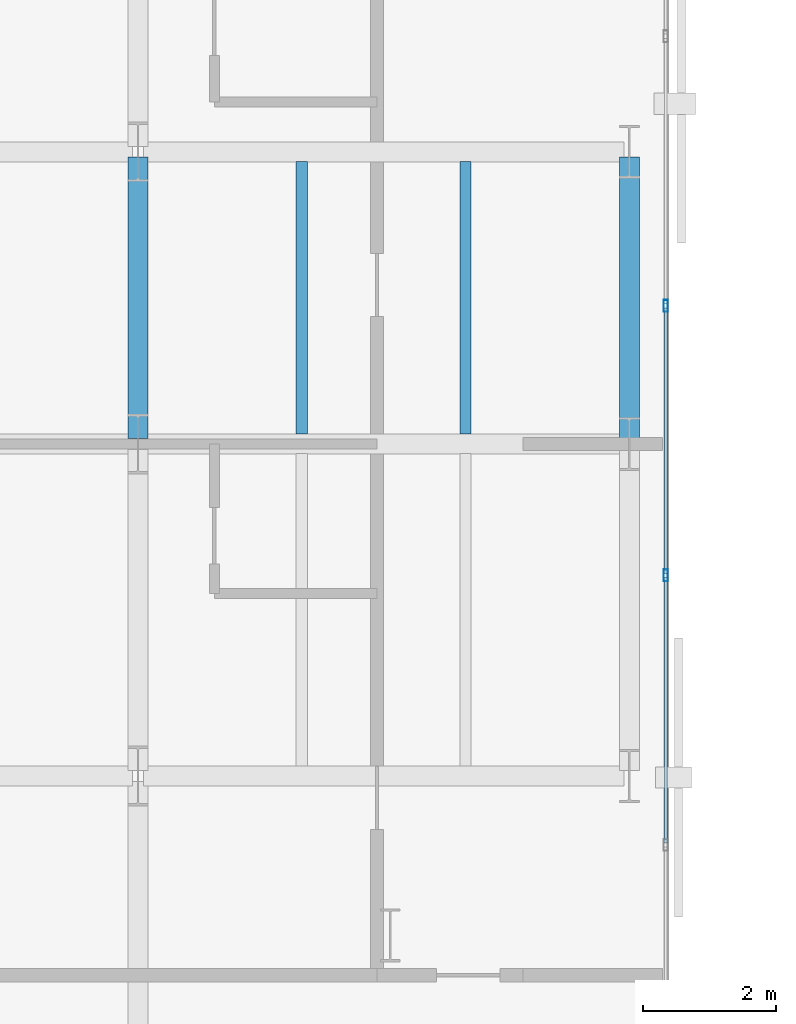
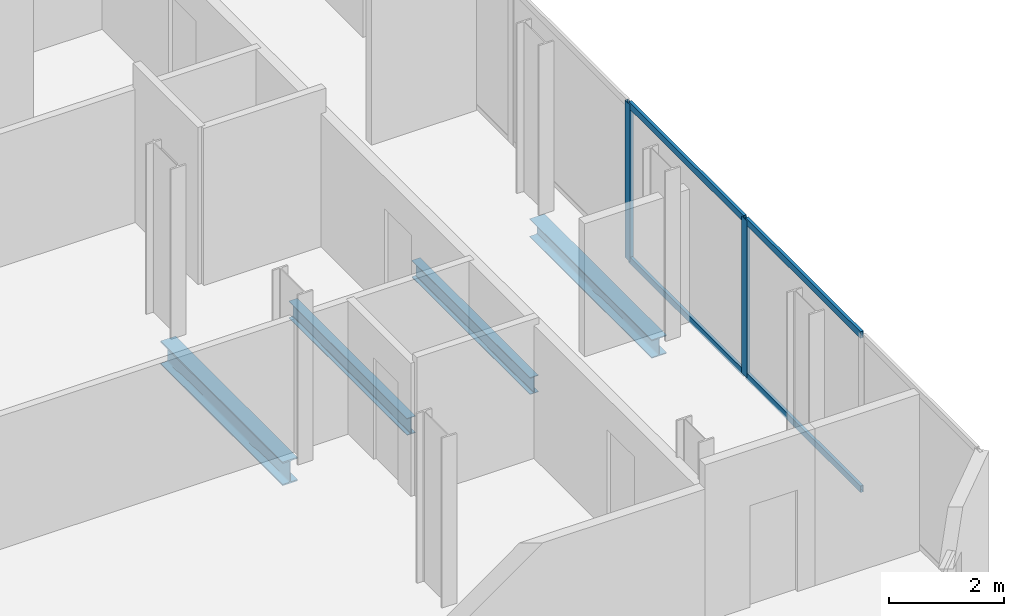
# One storey, part 8 of 33: 6 members, 4 beams, 1 element without a shape of its own.
"""IFC4 building model written with IfcOpenShell, lengths in metres."""

from ifc_helpers import new_model, si_unit, direction, frame, origin, origin_2d, place, context, subcontext, project, spatial, hollow_rectangle, i_section, extrude, material, layer, layer_set, material_profile, profile_set, type_object, element, aggregate, save


model = new_model("IFC4")

# Units and contexts
model_context = context("Model", 3, precision=1e-05, world=origin(), true_north=direction((0.0, 1.0)))
body_context = subcontext(model_context, "Body", "Model", "MODEL_VIEW")
ifc_project = project(units=[si_unit("LENGTHUNIT", "METRE"), si_unit("AREAUNIT", "SQUARE_METRE"), si_unit("VOLUMEUNIT", "CUBIC_METRE"), si_unit("PLANEANGLEUNIT", "RADIAN"), si_unit("MASSUNIT", "GRAM", prefix="KILO")], contexts=[model_context])

# Site, building, storey
site_placement = place(None, origin())
site = spatial("IfcSite", under=ifc_project, at=site_placement, CompositionType="ELEMENT")
building_placement = place(site_placement, origin())
building = spatial("IfcBuilding", under=site, at=building_placement, Name="Catumbela Crestline Tower", CompositionType="ELEMENT")
storey_placement = place(building_placement, frame((0.0, 0.0, 47.4)))
storey = spatial("IfcBuildingStorey", under=building, at=storey_placement, Name="L11", CompositionType="ELEMENT", Elevation=47.4)

# Beams
ifc_material_1 = material(Name="Structural steel S355J2", Category="steel")
ifc_material_profile_1 = material_profile(ifc_material_1, i_section(OverallWidth=0.3, OverallDepth=0.5, WebThickness=0.0145, FlangeThickness=0.028, FilletRadius=0.027, at=origin_2d()), Name="HEB 500")
ifc_profile_set_1 = profile_set([ifc_material_profile_1], Name="Structural steel S355J2")
beam_type_1 = type_object("IfcBeamType", Name="BG-HEB500", PredefinedType="BEAM", material=ifc_profile_set_1)
beam_1_placement = place(storey_placement, frame((16.0, 13.68, -0.51), z_axis=(0.0, 1.0, 0.0), x_axis=(-1.0, 0.0, 0.0)))
element("IfcBeam", 1, at=beam_1_placement, inside=storey, type_object=beam_type_1, Name="L11 Beam BM-L11-WNS66", PredefinedType="BEAM", context=body_context, shape_type="SweptSolid", body=[
    extrude(i_section(OverallWidth=0.3, OverallDepth=0.5, WebThickness=0.0145, FlangeThickness=0.028, FilletRadius=0.027, at=origin_2d()), origin(), (0.0, 0.0, 1.0), 4.24),
])
ifc_material_profile_2 = material_profile(ifc_material_1, i_section(OverallWidth=0.17, OverallDepth=0.36, WebThickness=0.008, FlangeThickness=0.0127, FilletRadius=0.018, at=origin_2d()), Name="IPE 360")
ifc_profile_set_2 = profile_set([ifc_material_profile_2], Name="Structural steel S355J2")
beam_type_2 = type_object("IfcBeamType", Name="BJ-IPE360", PredefinedType="JOIST", material=ifc_profile_set_2)
for number, where, z_axis, x_axis, name in (
    (2, (18.467, 13.747, -0.44), (0.0, 1.0, 0.0), (-1.0, 0.0, 0.0), "L11 Joist JS-L11-WG80"),
    (3, (20.933, 13.747, -0.44), (0.0, 1.0, 0.0), (-1.0, 0.0, 0.0), "L11 Joist JS-L11-WG81"),
):
    element("IfcBeam", number, at=place(storey_placement, frame(where, z_axis=z_axis, x_axis=x_axis)), inside=storey, type_object=beam_type_2, Name=name, PredefinedType="JOIST", context=body_context, shape_type="SweptSolid", body=[
        extrude(i_section(OverallWidth=0.17, OverallDepth=0.36, WebThickness=0.008, FlangeThickness=0.0127, FilletRadius=0.018, at=origin_2d()), origin(), (0.0, 0.0, 1.0), 4.106),
    ])

# Curtain wall, members
ifc_material_2 = material(Name="Aluminium alloy AW-6060-T66", Category="aluminium")
ifc_layer = layer(ifc_material_2, 0.18, Name="Aluminium alloy AW-6060-T66")
ifc_layer_set = layer_set([ifc_layer], Name="Aluminium alloy AW-6060-T66")
curtain_wall_type = type_object("IfcCurtainWallType", Name="CWU-Z1", PredefinedType="USERDEFINED", material=ifc_layer_set)
curtain_wall_placement = place(storey_placement, origin())
curtain_wall = element("IfcCurtainWall", 4, at=curtain_wall_placement, inside=storey, type_object=curtain_wall_type, Name="L11 Unitised Curtain Wall CW-L11-E2S1", ObjectType="UNITISED", PredefinedType="USERDEFINED")
ifc_material_profile_3 = material_profile(ifc_material_2, hollow_rectangle(XDim=0.065, YDim=0.18, WallThickness=0.004, at=origin_2d()), Name="ALU 180x65x4")
ifc_profile_set_3 = profile_set([ifc_material_profile_3], Name="Aluminium alloy AW-6060-T66")
member_type_1 = type_object("IfcMemberType", Name="MUL-180X65", PredefinedType="MULLION", material=ifc_profile_set_3)
member_1_placement = place(storey_placement, frame((23.95, 11.62, 0.0), z_axis=(0.0, 0.0, 1.0), x_axis=(-1.0, 0.0, 0.0)))
member_1 = element("IfcMember", 5, at=member_1_placement, type_object=member_type_1, Name="CWU-Z1 mullion 3", PredefinedType="MULLION", context=body_context, shape_type="SweptSolid", body=[
    extrude(hollow_rectangle(XDim=0.065, YDim=0.18, WallThickness=0.004, at=origin_2d()), origin(), (0.0, 0.0, 1.0), 3.33),
])
member_2_placement = place(storey_placement, frame((23.95, 15.68, 0.0), z_axis=(0.0, 0.0, 1.0), x_axis=(-1.0, 0.0, 0.0)))
member_2 = element("IfcMember", 6, at=member_2_placement, type_object=member_type_1, Name="CWU-Z1 mullion 4", PredefinedType="MULLION", context=body_context, shape_type="SweptSolid", body=[
    extrude(hollow_rectangle(XDim=0.065, YDim=0.18, WallThickness=0.004, at=origin_2d()), origin(), (0.0, 0.0, 1.0), 3.33),
])

# Beam
ifc_material_profile_4 = material_profile(ifc_material_1, i_section(OverallWidth=0.3, OverallDepth=0.39, WebThickness=0.011, FlangeThickness=0.019, FilletRadius=0.027, at=origin_2d()), Name="HEA 400")
ifc_profile_set_4 = profile_set([ifc_material_profile_4], Name="Structural steel S355J2")
beam_type_3 = type_object("IfcBeamType", Name="BS-HEA400", PredefinedType="SPANDREL", material=ifc_profile_set_4)
beam_2_placement = place(storey_placement, frame((23.4, 13.68, -0.455), z_axis=(0.0, 1.0, 0.0), x_axis=(-1.0, 0.0, 0.0)))
element("IfcBeam", 7, at=beam_2_placement, inside=storey, type_object=beam_type_3, Name="L11 Spandrel SP-L11-WNS69", PredefinedType="SPANDREL", context=body_context, shape_type="SweptSolid", body=[
    extrude(i_section(OverallWidth=0.3, OverallDepth=0.39, WebThickness=0.011, FlangeThickness=0.019, FilletRadius=0.027, at=origin_2d()), origin(), (0.0, 0.0, 1.0), 4.24),
])

# Member
ifc_material_profile_5 = material_profile(ifc_material_2, hollow_rectangle(XDim=0.06, YDim=0.14, WallThickness=0.004, at=origin_2d()), Name="ALU 140x60x4")
ifc_profile_set_5 = profile_set([ifc_material_profile_5], Name="Aluminium alloy AW-6060-T66")
member_type_2 = type_object("IfcMemberType", Name="TRN-140X60", PredefinedType="USERDEFINED", material=ifc_profile_set_5)
member_3_placement = place(storey_placement, frame((23.95, 7.5925, 0.03), z_axis=(0.0, 1.0, 0.0), x_axis=(-1.0, 0.0, 0.0)))
member_3 = element("IfcMember", 8, at=member_3_placement, type_object=member_type_2, Name="CWU-Z1 transom 2.1", ObjectType="TRANSOM", PredefinedType="USERDEFINED", context=body_context, shape_type="SweptSolid", body=[
    extrude(hollow_rectangle(XDim=0.06, YDim=0.14, WallThickness=0.004, at=origin_2d()), origin(), (0.0, 0.0, 1.0), 3.995),
])

member_4_placement = place(storey_placement, frame((23.95, 7.5925, 3.3), z_axis=(0.0, 1.0, 0.0), x_axis=(-1.0, 0.0, 0.0)))
member_4 = element("IfcMember", 9, at=member_4_placement, type_object=member_type_2, Name="CWU-Z1 transom 2.2", ObjectType="TRANSOM", PredefinedType="USERDEFINED", context=body_context, shape_type="SweptSolid", body=[
    extrude(hollow_rectangle(XDim=0.06, YDim=0.14, WallThickness=0.004, at=origin_2d()), origin(), (0.0, 0.0, 1.0), 3.995),
])

member_5_placement = place(storey_placement, frame((23.95, 11.6525, 0.03), z_axis=(0.0, 1.0, 0.0), x_axis=(-1.0, 0.0, 0.0)))
member_5 = element("IfcMember", 10, at=member_5_placement, type_object=member_type_2, Name="CWU-Z1 transom 3.1", ObjectType="TRANSOM", PredefinedType="USERDEFINED", context=body_context, shape_type="SweptSolid", body=[
    extrude(hollow_rectangle(XDim=0.06, YDim=0.14, WallThickness=0.004, at=origin_2d()), origin(), (0.0, 0.0, 1.0), 3.995),
])

member_6_placement = place(storey_placement, frame((23.95, 11.6525, 3.3), z_axis=(0.0, 1.0, 0.0), x_axis=(-1.0, 0.0, 0.0)))
member_6 = element("IfcMember", 11, at=member_6_placement, type_object=member_type_2, Name="CWU-Z1 transom 3.2", ObjectType="TRANSOM", PredefinedType="USERDEFINED", context=body_context, shape_type="SweptSolid", body=[
    extrude(hollow_rectangle(XDim=0.06, YDim=0.14, WallThickness=0.004, at=origin_2d()), origin(), (0.0, 0.0, 1.0), 3.995),
])

aggregate(curtain_wall, [member_1, member_2, member_3, member_4, member_5, member_6])

save(model, "model.ifc")
